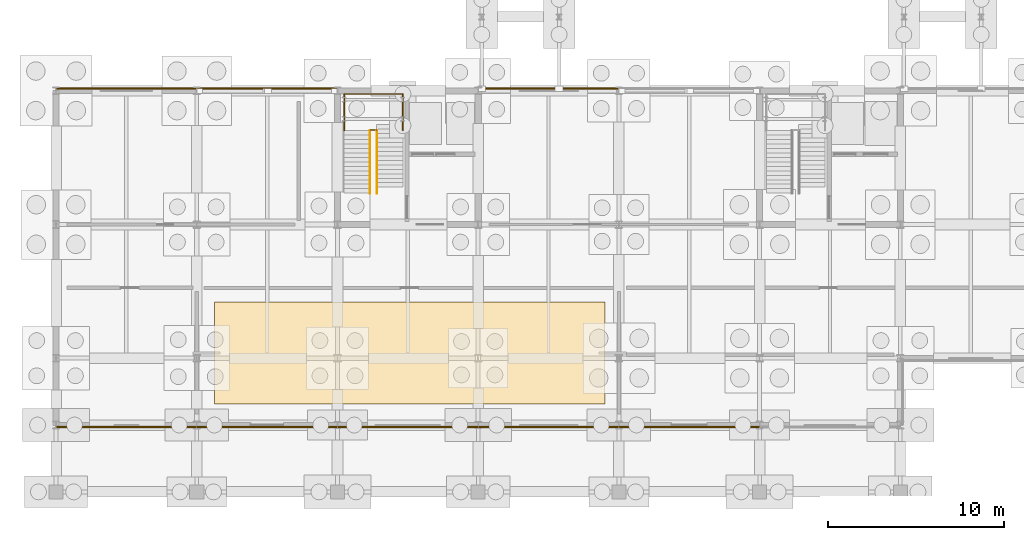
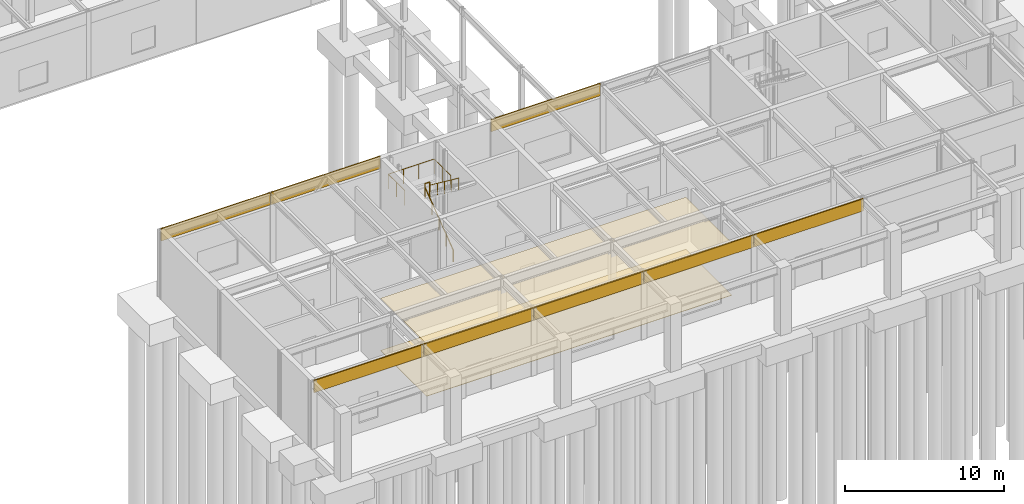
# One storey, part 52 of 62: 10 coverings, 4 railings.
"""IFC4 building model written with IfcOpenShell, lengths in metres."""

import ifcopenshell
import ifcopenshell.guid

model = None  # the IFC model being written
_history = None  # IfcOwnerHistory: only IFC2X3 demands one
_inside = {}  # id of a spatial element -> (the spatial element, [elements in it])
_under = {}  # id of a project, library or spatial element -> (it, [spatial elements below it])
_declared = {}  # id of a project -> (the project, [libraries it declares])
_typed = {}  # id of a type object -> (the type object, [elements of that type])
_made_of = {}  # id of a material, layer set ... -> (it, [elements and type objects made of it])


def new_model(schema):
    """Start an empty IFC model of exactly this schema.

    Asked for "IFC4X3", IfcOpenShell would pick the latest addendum, in which some entities
    have other attributes; the version numbers below select the first issue.
    IFC2X3 requires an IfcOwnerHistory on every rooted entity: one is made here for all.
    """
    global model, _history
    if schema == "IFC4X3":
        model = ifcopenshell.file(schema_version=(4, 3, 0, 0))
    else:
        model = ifcopenshell.file(schema=schema)
    _inside.clear()
    _under.clear()
    _declared.clear()
    _typed.clear()
    _made_of.clear()
    _history = None
    if model.schema == "IFC2X3":
        org = make("IfcOrganization", Name="unknown")
        user = make(
            "IfcPersonAndOrganization",
            ThePerson=make("IfcPerson", FamilyName="unknown"),
            TheOrganization=org,
        )
        app = make(
            "IfcApplication",
            ApplicationDeveloper=org,
            Version="unknown",
            ApplicationFullName="unknown",
            ApplicationIdentifier="unknown",
        )
        _history = make(
            "IfcOwnerHistory",
            OwningUser=user,
            OwningApplication=app,
            ChangeAction="ADDED",
            CreationDate=0,
        )
    return model


def make(cls, **values):
    """One entity of the class cls with the attributes given. An attribute that is None is left unset."""
    return model.create_entity(
        cls, **{name: value for name, value in values.items() if value is not None}
    )


def rooted(cls, **values):
    """An entity with a GlobalId (a new one), such as an element, a storey or a relation."""
    return make(cls, GlobalId=ifcopenshell.guid.new(), OwnerHistory=_history, **values)


def si_unit(unit_type, name, prefix=None):
    """IfcSIUnit, for example si_unit("LENGTHUNIT", "METRE", prefix="MILLI")."""
    return make("IfcSIUnit", UnitType=unit_type, Prefix=prefix, Name=name)


def assignment(units):
    """IfcUnitAssignment: the units of a project."""
    return None if units is None else make("IfcUnitAssignment", Units=units)


def point(xyz):
    """IfcCartesianPoint."""
    return None if xyz is None else make("IfcCartesianPoint", Coordinates=xyz)


def direction(xyz):
    """IfcDirection."""
    return None if xyz is None else make("IfcDirection", DirectionRatios=xyz)


def frame(location, z_axis=None, x_axis=None):
    """IfcAxis2Placement3D, a coordinate frame: its origin and axes. An axis left out is left unset."""
    return make(
        "IfcAxis2Placement3D",
        Location=point(location),
        Axis=direction(z_axis),
        RefDirection=direction(x_axis),
    )


def frame_2d(location, x_axis=None):
    """IfcAxis2Placement2D, a coordinate frame in the plane: its origin and x axis."""
    return make(
        "IfcAxis2Placement2D", Location=point(location), RefDirection=direction(x_axis)
    )


def origin():
    """The frame at (0, 0, 0) with its axes left unset."""
    return frame((0.0, 0.0, 0.0))


def origin_2d():
    """The frame at (0, 0) in the plane with its x axis left unset."""
    return frame_2d((0.0, 0.0))


def place(relative_to, where):
    """IfcLocalPlacement: puts the frame where relative to a parent placement (None: the world)."""
    return make(
        "IfcLocalPlacement", PlacementRelTo=relative_to, RelativePlacement=where
    )


def context(
    kind, dimensions, precision=None, world=None, true_north=None, identifier=None
):
    """IfcGeometricRepresentationContext, for example the 3D "Model" context."""
    return make(
        "IfcGeometricRepresentationContext",
        ContextIdentifier=identifier,
        ContextType=kind,
        CoordinateSpaceDimension=dimensions,
        Precision=precision,
        WorldCoordinateSystem=world,
        TrueNorth=true_north,
    )


def subcontext(parent, identifier, kind, view, scale=None):
    """IfcGeometricRepresentationSubContext, for example "Body" below "Model"."""
    return make(
        "IfcGeometricRepresentationSubContext",
        ContextIdentifier=identifier,
        ContextType=kind,
        ParentContext=parent,
        TargetScale=scale,
        TargetView=view,
    )


def project(units=None, contexts=None):
    """IfcProject with its units and contexts."""
    return rooted(
        "IfcProject",
        Name="project",
        RepresentationContexts=contexts,
        UnitsInContext=assignment(units),
    )


def spatial(cls, under=None, at=None, **own):
    """A site, building, storey or space (cls), placed at a placement, below another one or the project."""
    s = rooted(cls, ObjectPlacement=at, **own)
    if under is not None:
        _under.setdefault(under.id(), (under, []))[1].append(s)
    return s


def polyline(points):
    """IfcPolyline through the points."""
    return make("IfcPolyline", Points=[point(p) for p in points])


def profile(cls, at=None, kind="AREA", **sizes):
    """A parametric profile (cls). Its sizes go by their IFC names, for example OverallWidth=200.0."""
    return make(cls, ProfileType=kind, Position=at, **sizes)


def rectangle(**sizes):
    """IfcRectangleProfileDef."""
    return profile("IfcRectangleProfileDef", **sizes)


def circle(**sizes):
    """IfcCircleProfileDef."""
    return profile("IfcCircleProfileDef", **sizes)


def outline(outer, holes=None, kind="AREA"):
    """IfcArbitraryClosedProfileDef: a profile drawn as a closed curve; with holes, ...WithVoids."""
    if holes is None:
        return make("IfcArbitraryClosedProfileDef", ProfileType=kind, OuterCurve=outer)
    return make(
        "IfcArbitraryProfileDefWithVoids",
        ProfileType=kind,
        OuterCurve=outer,
        InnerCurves=holes,
    )


def extrude(swept, where, along, depth):
    """IfcExtrudedAreaSolid: the profile swept, set in the frame where, extruded along a direction by depth."""
    return make(
        "IfcExtrudedAreaSolid",
        SweptArea=swept,
        Position=where,
        ExtrudedDirection=direction(along),
        Depth=depth,
    )


def shape(context_of_items, identifier, shape_type, items):
    """IfcShapeRepresentation: the items that make up one representation, for example the "Body"."""
    return make(
        "IfcShapeRepresentation",
        ContextOfItems=context_of_items,
        RepresentationIdentifier=identifier,
        RepresentationType=shape_type,
        Items=items,
    )


def material(Name=None, Category=None):
    """IfcMaterial."""
    return make("IfcMaterial", Name=Name, Category=Category)


def layer(
    of_material, thickness, ventilated=None, Name=None, Category=None, Priority=None
):
    """IfcMaterialLayer: one layer of a wall or slab, of a material (None: an air gap)."""
    return make(
        "IfcMaterialLayer",
        Material=of_material,
        LayerThickness=thickness,
        IsVentilated=ventilated,
        Name=Name,
        Category=Category,
        Priority=Priority,
    )


def layer_set(layers, Name=None):
    """IfcMaterialLayerSet."""
    return make("IfcMaterialLayerSet", MaterialLayers=layers, LayerSetName=Name)


def made_of(thing, what):
    """Note that an element or type object is made of a material, layer set ...; save() writes the relation."""
    if what is not None:
        _made_of.setdefault(what.id(), (what, []))[1].append(thing)
    return thing


def type_object(cls, material=None, **own):
    """A type object (cls), such as IfcWallType, which elements share."""
    return made_of(rooted(cls, **own), material)


def element(
    cls,
    number,
    at=None,
    inside=None,
    cuts=None,
    type_object=None,
    material=None,
    context=None,
    identifier="Body",
    shape_type=None,
    held_by="IfcProductDefinitionShape",
    body=None,
    shapes=None,
    **own,
):
    """One element of the class cls, such as IfcWall. Its Tag is "e" and its number.

    at: its placement. inside: the storey or other place that contains it. cuts: it is an
    opening in that element (IfcRelVoidsElement). A single representation is given by context,
    identifier, shape_type and body (its items); several are given by shapes. held_by: the class
    of the entity that holds the representations. save() writes the other relations.
    """
    e = rooted(cls, Tag="e%d" % number, ObjectPlacement=at, **own)
    if body is not None:
        shapes = [shape(context, identifier, shape_type, body)]
    if shapes is not None:
        e.Representation = make(held_by, Representations=shapes)
    if inside is not None:
        _inside.setdefault(inside.id(), (inside, []))[1].append(e)
    if cuts is not None:
        rooted(
            "IfcRelVoidsElement", RelatingBuildingElement=cuts, RelatedOpeningElement=e
        )
    if type_object is not None:
        _typed.setdefault(type_object.id(), (type_object, []))[1].append(e)
    return made_of(e, material)


def aggregate(whole, parts):
    """IfcRelAggregates: a whole, such as a stair, and the parts it consists of."""
    return rooted("IfcRelAggregates", RelatingObject=whole, RelatedObjects=parts)


def save(model, path):
    """Write the relations noted so far, then the file.

    IfcRelAggregates (storeys below a building ...), IfcRelContainedInSpatialStructure (elements
    in a storey), IfcRelDefinesByType, IfcRelAssociatesMaterial and IfcRelDeclares: one each for
    every whole, place, type object, material and project.
    """
    for whole, parts in _under.values():
        aggregate(whole, parts)
    for where, things in _inside.values():
        rooted(
            "IfcRelContainedInSpatialStructure",
            RelatedElements=things,
            RelatingStructure=where,
        )
    for kind, things in _typed.values():
        rooted("IfcRelDefinesByType", RelatedObjects=things, RelatingType=kind)
    for what, things in _made_of.values():
        rooted("IfcRelAssociatesMaterial", RelatedObjects=things, RelatingMaterial=what)
    for by, libraries in _declared.values():
        rooted("IfcRelDeclares", RelatingContext=by, RelatedDefinitions=libraries)
    model.write(path)


model = new_model("IFC4")

# Units and contexts
model_context = context("Model", 3, precision=1e-05, world=origin(), true_north=direction((0.0, 1.0)))
body_context = subcontext(model_context, "Body", "Model", "MODEL_VIEW")
ifc_project = project(units=[si_unit("LENGTHUNIT", "METRE"), si_unit("AREAUNIT", "SQUARE_METRE"), si_unit("VOLUMEUNIT", "CUBIC_METRE"), si_unit("PLANEANGLEUNIT", "RADIAN"), si_unit("MASSUNIT", "GRAM", prefix="KILO")], contexts=[model_context])

# Site, building, storey
site_placement = place(None, origin())
site = spatial("IfcSite", under=ifc_project, at=site_placement, CompositionType="ELEMENT")
building_placement = place(site_placement, origin())
building = spatial("IfcBuilding", under=site, at=building_placement, Name="Zulena Civic Courthouse", CompositionType="ELEMENT")
storey_placement = place(building_placement, origin())
storey = spatial("IfcBuildingStorey", under=building, at=storey_placement, Name="L00", CompositionType="ELEMENT", Elevation=0.0)

# Covering
ifc_material_1 = material(Name="Perforated acoustic mineral-fibre ceiling tile", Category="concrete")
ifc_layer_1 = layer(ifc_material_1, 0.02490234375)
ifc_layer_set_1 = layer_set([ifc_layer_1], Name="Perforated acoustic mineral-fibre ceiling tile")
covering_type_1 = type_object("IfcCoveringType", Name="AcousticCeiling_25", PredefinedType="CEILING", material=ifc_layer_set_1)
covering_1_placement = place(storey_placement, frame((0.0, 0.0, 4.02001953125)))
element("IfcCovering", 1, at=covering_1_placement, inside=storey, type_object=covering_type_1, Name="ceil:L00:290", PredefinedType="CEILING", context=body_context, shape_type="SweptSolid", body=[
    extrude(outline(polyline([(13.0, 5.0), (35.199951171875, 5.0), (35.199951171875, 10.800048828125), (13.0, 10.800048828125), (13.0, 5.0)])), origin(), (0.0, 0.0, 1.0), 0.02490234375),
])

# Railings
ifc_material_2 = material(Name="Brushed architectural steel ASTM A36", Category="steel")
railing_type_1 = type_object("IfcRailingType", Name="InteriorGuardrail_1150", PredefinedType="GUARDRAIL", material=ifc_material_2)
railing_1_placement = place(storey_placement, frame((20.3798828125, 20.549560546875, 2.699951171875)))
element("IfcRailing", 2, at=railing_1_placement, inside=storey, type_object=railing_type_1, Name="gr:lnd:K2A:L00", PredefinedType="GUARDRAIL", context=body_context, shape_type="SweptSolid", body=[
    extrude(circle(Radius=0.02392578125, at=origin_2d()), frame((0.0, 0.00390625, 1.1259765625), z_axis=(0.0, 1.0, 0.0), x_axis=(-1.0, 0.0, 0.0)), (0.0, 0.0, 1.0), 2.0625),
    extrude(circle(Radius=0.02392578125, at=origin_2d()), frame((0.00390625, 2.070556640625, 1.1259765625), z_axis=(1.0, 0.0, 0.0), x_axis=(0.0, 1.0, 0.0)), (0.0, 0.0, 1.0), 3.33203125),
    extrude(circle(Radius=0.02392578125, at=origin_2d()), frame((3.340087890625, 2.066650390625, 1.1259765625), z_axis=(0.0, -1.0, 0.0), x_axis=(1.0, 0.0, 0.0)), (0.0, 0.0, 1.0), 2.0625),
    extrude(circle(Radius=0.02099609375, at=origin_2d()), origin(), (0.0, 0.0, 1.0), 1.097900390625),
    extrude(circle(Radius=0.02099609375, at=origin_2d()), frame((0.0, 1.03515625, 0.0)), (0.0, 0.0, 1.0), 1.097900390625),
    extrude(circle(Radius=0.02099609375, at=origin_2d()), frame((0.0, 2.070556640625, 0.0)), (0.0, 0.0, 1.0), 1.097900390625),
    extrude(circle(Radius=0.02099609375, at=origin_2d()), frame((1.11328125, 2.070556640625, 0.0)), (0.0, 0.0, 1.0), 1.097900390625),
    extrude(circle(Radius=0.02099609375, at=origin_2d()), frame((2.226806640625, 2.070556640625, 0.0)), (0.0, 0.0, 1.0), 1.097900390625),
    extrude(circle(Radius=0.02099609375, at=origin_2d()), frame((3.340087890625, 2.070556640625, 0.0)), (0.0, 0.0, 1.0), 1.097900390625),
    extrude(circle(Radius=0.02099609375, at=origin_2d()), frame((3.340087890625, 1.03515625, 0.0)), (0.0, 0.0, 1.0), 1.097900390625),
    extrude(circle(Radius=0.02099609375, at=origin_2d()), frame((3.340087890625, 0.0, 0.0)), (0.0, 0.0, 1.0), 1.097900390625),
])
railing_2_placement = place(storey_placement, frame((21.8798828125, 20.570068359375, 2.699951171875)))
element("IfcRailing", 3, at=railing_2_placement, inside=storey, type_object=railing_type_1, Name="gr:lndslot:K2A:L00", PredefinedType="GUARDRAIL", context=body_context, shape_type="SweptSolid", body=[
    extrude(circle(Radius=0.02392578125, at=origin_2d()), frame((0.00390625, 0.0, 1.1259765625), z_axis=(1.0, 0.0, 0.0), x_axis=(0.0, 1.0, 0.0)), (0.0, 0.0, 1.0), 0.33203125),
    extrude(circle(Radius=0.02099609375, at=origin_2d()), origin(), (0.0, 0.0, 1.0), 1.097900390625),
    extrude(circle(Radius=0.02099609375, at=origin_2d()), frame((0.340087890625, 0.0, 0.0)), (0.0, 0.0, 1.0), 1.097900390625),
])

# Coverings
ifc_material_3 = material(Name="White architectural precast concrete C40/50", Category="concrete")
ifc_layer_2 = layer(ifc_material_3, 0.0849609375)
ifc_layer_set_2 = layer_set([ifc_layer_2], Name="White architectural precast concrete C40/50")
covering_type_2 = type_object("IfcCoveringType", Name="PrecastSpandrelCladding_85", PredefinedType="CLADDING", material=ifc_layer_set_2)
for number, where, z_axis, x_axis, name in (
    (4, (8.0, 22.919921875, 4.25), (0.0, 0.0, 1.0), (1.0, 0.0, 0.0), "clad:sp:V2:L00:1:0"),
    (5, (16.0, 22.919921875, 4.25), (0.0, 0.0, 1.0), (1.0, 0.0, 0.0), "clad:sp:V2:L00:1:1"),
    (6, (32.0, 22.919921875, 4.25), (0.0, 0.0, 1.0), (1.0, 0.0, 0.0), "clad:sp:V2:L00:1:3"),
    (7, (40.0, 3.679931640625, 4.25), (0.0, 0.0, 1.0), (-1.0, 0.0, 0.0), "clad:sp:V2:L00:5:1"),
    (8, (32.0, 3.679931640625, 4.25), (0.0, 0.0, 1.0), (-1.0, 0.0, 0.0), "clad:sp:V2:L00:5:2"),
    (9, (24.0, 3.679931640625, 4.25), (0.0, 0.0, 1.0), (-1.0, 0.0, 0.0), "clad:sp:V2:L00:5:3"),
    (10, (16.0, 3.679931640625, 4.25), (0.0, 0.0, 1.0), (-1.0, 0.0, 0.0), "clad:sp:V2:L00:5:4"),
    (11, (8.0, 3.679931640625, 4.25), (0.0, 0.0, 1.0), (-1.0, 0.0, 0.0), "clad:sp:V2:L00:5:5"),
):
    element("IfcCovering", number, at=place(storey_placement, frame(where, z_axis=z_axis, x_axis=x_axis)), inside=storey, type_object=covering_type_2, Name=name, PredefinedType="CLADDING", context=body_context, shape_type="SweptSolid", body=[
        extrude(rectangle(XDim=7.9599609375, YDim=0.0849609375, at=origin_2d()), origin(), (0.0, 0.0, 1.0), 0.93994140625),
    ])

# Railings
railing_type_2 = type_object("IfcRailingType", Name="StairHandrail_920", PredefinedType="HANDRAIL", material=ifc_material_2)
railing_3_placement = place(storey_placement, frame((21.85009765625, 16.97998046875, 0.0)))
element("IfcRailing", 12, at=railing_3_placement, inside=storey, type_object=railing_type_2, Name="hr:K2A:L00:1", PredefinedType="HANDRAIL", context=body_context, shape_type="SweptSolid", body=[
    extrude(circle(Radius=0.02392578125, at=origin_2d()), frame((0.0, 0.003173828125, 0.898193359375), z_axis=(0.0, 0.797551790998, 0.603250479218), x_axis=(-1.0, 0.0, 0.0)), (0.0, 0.0, 1.0), 4.4677734375),
    extrude(circle(Radius=0.02099609375, at=origin_2d()), origin(), (0.0, 0.0, 1.0), 0.867919921875),
    extrude(circle(Radius=0.02099609375, at=origin_2d()), frame((0.0, 0.892333984375, 0.675048828125)), (0.0, 0.0, 1.0), 0.867919921875),
    extrude(circle(Radius=0.02099609375, at=origin_2d()), frame((0.0, 1.78466796875, 1.35009765625)), (0.0, 0.0, 1.0), 0.867919921875),
    extrude(circle(Radius=0.02099609375, at=origin_2d()), frame((0.0, 2.67724609375, 2.02490234375)), (0.0, 0.0, 1.0), 0.867919921875),
    extrude(circle(Radius=0.02099609375, at=origin_2d()), frame((0.0, 3.569580078125, 2.699951171875)), (0.0, 0.0, 1.0), 0.867919921875),
])
railing_4_placement = place(storey_placement, frame((22.25, 20.549560546875, 2.699951171875)))
element("IfcRailing", 13, at=railing_4_placement, inside=storey, type_object=railing_type_2, Name="hr:K2A:L00:2", PredefinedType="HANDRAIL", context=body_context, shape_type="SweptSolid", body=[
    extrude(circle(Radius=0.02392578125, at=origin_2d()), frame((0.0, -0.003173828125, 0.898193359375), z_axis=(0.0, -0.797551790998, 0.603250479218), x_axis=(1.0, 0.0, 0.0)), (0.0, 0.0, 1.0), 4.4677734375),
    extrude(circle(Radius=0.02099609375, at=origin_2d()), origin(), (0.0, 0.0, 1.0), 0.867919921875),
    extrude(circle(Radius=0.02099609375, at=origin_2d()), frame((0.0, -0.892333984375, 0.675048828125)), (0.0, 0.0, 1.0), 0.867919921875),
    extrude(circle(Radius=0.02099609375, at=origin_2d()), frame((0.0, -1.78466796875, 1.35009765625)), (0.0, 0.0, 1.0), 0.867919921875),
    extrude(circle(Radius=0.02099609375, at=origin_2d()), frame((0.0, -2.67724609375, 2.02490234375)), (0.0, 0.0, 1.0), 0.867919921875),
    extrude(circle(Radius=0.02099609375, at=origin_2d()), frame((0.0, -3.569580078125, 2.699951171875)), (0.0, 0.0, 1.0), 0.867919921875),
])

# Covering
ifc_material_4 = material(Name="Honed travertine stone flooring", Category="masonry")
ifc_layer_3 = layer(ifc_material_4, 0.030029296875)
ifc_layer_set_3 = layer_set([ifc_layer_3], Name="Honed travertine stone flooring")
covering_type_3 = type_object("IfcCoveringType", Name="TravertineFlooring_30", PredefinedType="FLOORING", material=ifc_layer_set_3)
covering_2_placement = place(storey_placement, origin())
element("IfcCovering", 14, at=covering_2_placement, inside=storey, type_object=covering_type_3, Name="floor:L00:290", PredefinedType="FLOORING", context=body_context, shape_type="SweptSolid", body=[
    extrude(outline(polyline([(13.0, 5.0), (35.199951171875, 5.0), (35.199951171875, 10.800048828125), (13.0, 10.800048828125), (13.0, 5.0)])), origin(), (0.0, 0.0, 1.0), 0.030029296875),
])

save(model, "model.ifc")
